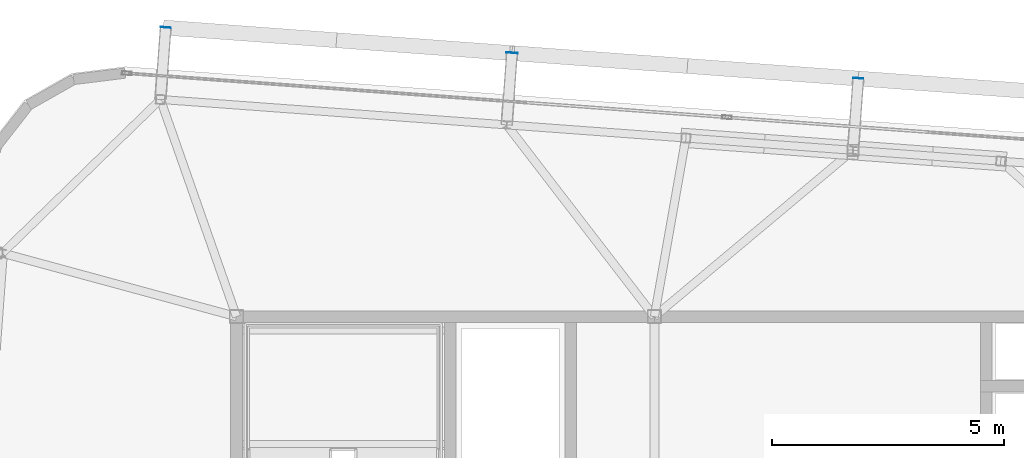
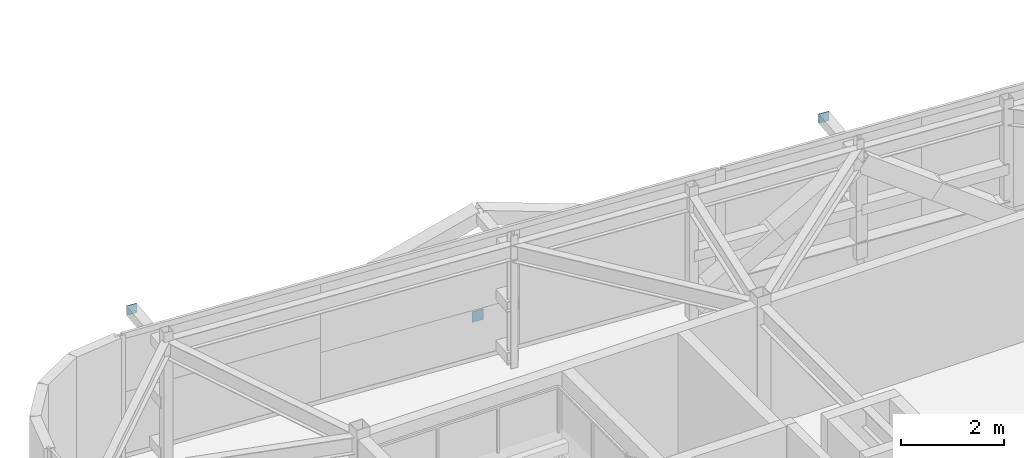
# One storey, part 29 of 35: 3 plates.
"""IFC4 building model written with IfcOpenShell, lengths in metres."""

from ifc_helpers import new_model, si_unit, direction, frame, origin, origin_2d, place, context, subcontext, project, spatial, rectangle, extrude, source, transform, mapped, material, layer, layer_set, type_object, element, save


model = new_model("IFC4")

# Units and contexts
model_context = context("Model", 3, precision=1e-05, world=origin(), true_north=direction((0.0, 1.0)))
body_context = subcontext(model_context, "Body", "Model", "MODEL_VIEW")
ifc_project = project(units=[si_unit("LENGTHUNIT", "METRE"), si_unit("AREAUNIT", "SQUARE_METRE"), si_unit("VOLUMEUNIT", "CUBIC_METRE"), si_unit("PLANEANGLEUNIT", "RADIAN"), si_unit("MASSUNIT", "GRAM", prefix="KILO")], contexts=[model_context])

# Site, building, storey
site_placement = place(None, origin())
site = spatial("IfcSite", under=ifc_project, at=site_placement, CompositionType="ELEMENT")
building_placement = place(site_placement, origin())
building = spatial("IfcBuilding", under=site, at=building_placement, Name="Taldren Reach Tower", CompositionType="ELEMENT")
storey_placement = place(building_placement, frame((0.0, 0.0, 236.60009765625)))
storey = spatial("IfcBuildingStorey", under=building, at=storey_placement, Name="L72", CompositionType="ELEMENT", Elevation=236.60009765625)

# Plates
ifc_material_1 = material(Name="Steel Gr 350 (C350L0)", Category="steel")
ifc_layer_1 = layer(ifc_material_1, 0.011962890625)
ifc_layer_set_1 = layer_set([ifc_layer_1], Name="Steel Gr 350 (C350L0)")
plate_type_1 = type_object("IfcPlateType", Name="PL-CAP-250", PredefinedType="SHEET", material=ifc_layer_set_1)
shared_shape_1 = source(origin(), body_context, "Body", "SweptSolid", [
    extrude(rectangle(XDim=0.25, YDim=0.011962890625, at=origin_2d()), origin(), (0.0, 0.0, 1.0), 0.25),
])
plate_placement = place(storey_placement, frame((24.93359375, 37.682861328125, 0.094970703125), z_axis=(0.0, 0.0, 1.0), x_axis=(0.997314477224, -0.073238197128, 0.0)))
element("IfcPlate", 1, at=plate_placement, inside=storey, type_object=plate_type_1, Name="Tie strut end cap plate B5-N2 L72", PredefinedType="SHEET", context=body_context, shape_type="MappedRepresentation", body=[
    mapped(shared_shape_1, transform((0.0, 0.0, 0.0), scale=1.0)),
])
ifc_material_2 = material(Name="Steel Gr 450 (C450L0)", Category="steel")
ifc_layer_2 = layer(ifc_material_2, 0.011962890625)
ifc_layer_set_2 = layer_set([ifc_layer_2], Name="Steel Gr 450 (C450L0)")
plate_type_2 = type_object("IfcPlateType", Name="PL-CAP-220", PredefinedType="SHEET", material=ifc_layer_set_2)
shared_shape_2 = source(origin(), body_context, "Body", "SweptSolid", [
    extrude(rectangle(XDim=0.219970703125, YDim=0.011962890625, at=origin_2d()), origin(), (0.0, 0.0, 1.0), 0.219970703125),
])
for number, where, z_axis, x_axis, name in (
    (2, (17.4736328125, 38.230712890625, 2.5400390625), (0.0, 0.0, 1.0), (0.997314477224, -0.073238197128, 0.0), "Tie strut end cap plate B5-N1 L72"),
    (3, (32.3935546875, 37.135009765625, 2.5400390625), (0.0, 0.0, 1.0), (0.997314477224, -0.073238197128, 0.0), "Tie strut end cap plate B5-N3 L72"),
):
    element("IfcPlate", number, at=place(storey_placement, frame(where, z_axis=z_axis, x_axis=x_axis)), inside=storey, type_object=plate_type_2, Name=name, PredefinedType="SHEET", context=body_context, shape_type="MappedRepresentation", body=[
        mapped(shared_shape_2, transform((0.0, 0.0, 0.0), scale=1.0)),
    ])

save(model, "model.ifc")
